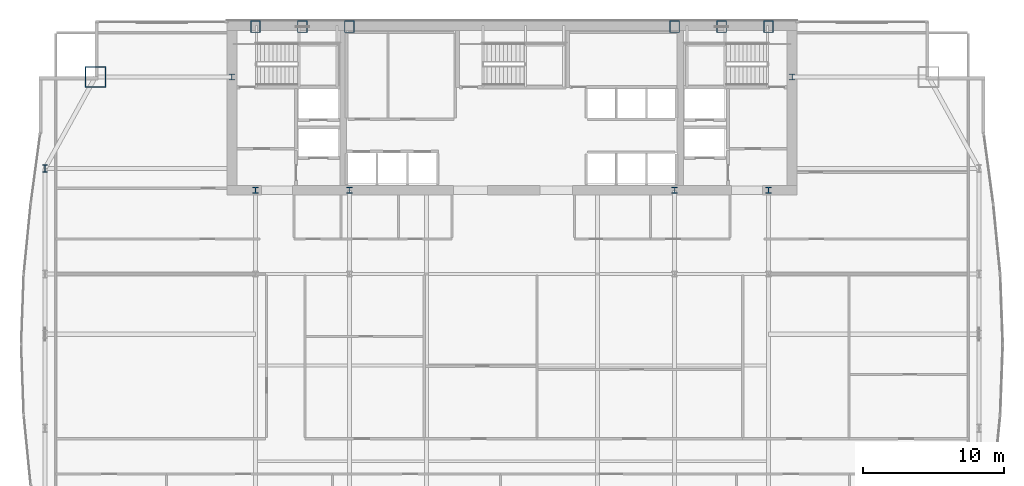
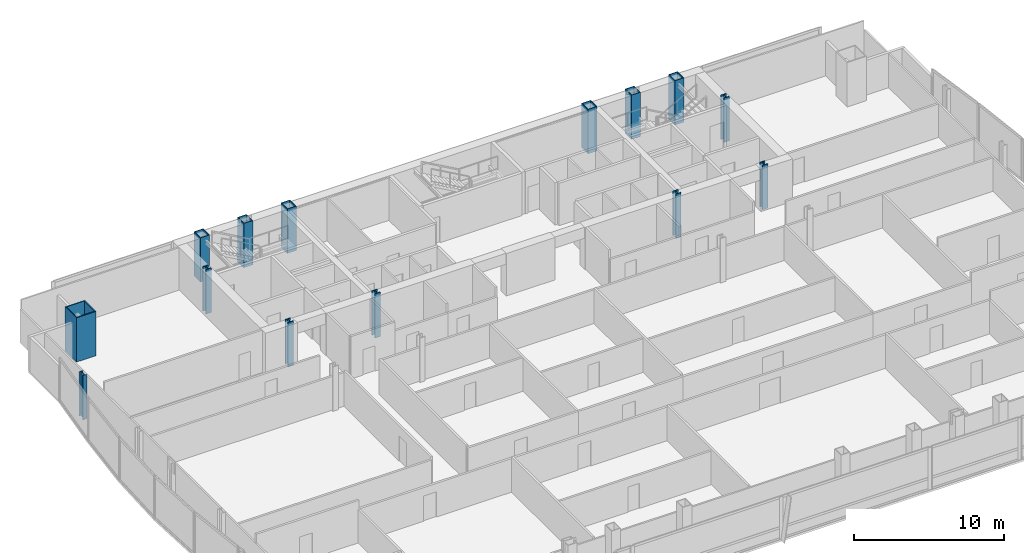
# One storey, part 3 of 32: 14 columns.
"""IFC4 building model written with IfcOpenShell, lengths in metres."""

from ifc_helpers import new_model, si_unit, direction, frame, origin, origin_2d, place, context, subcontext, project, spatial, hollow_rectangle, i_section, extrude, material, material_profile, profile_set, type_object, element, save


model = new_model("IFC4")

# Units and contexts
model_context = context("Model", 3, precision=1e-05, world=origin(), true_north=direction((0.0, 1.0)))
body_context = subcontext(model_context, "Body", "Model", "MODEL_VIEW")
ifc_project = project(units=[si_unit("LENGTHUNIT", "METRE"), si_unit("AREAUNIT", "SQUARE_METRE"), si_unit("VOLUMEUNIT", "CUBIC_METRE"), si_unit("PLANEANGLEUNIT", "RADIAN"), si_unit("MASSUNIT", "GRAM", prefix="KILO")], contexts=[model_context])

# Site, building, storey
site_placement = place(None, origin())
site = spatial("IfcSite", under=ifc_project, at=site_placement, CompositionType="ELEMENT")
building_placement = place(site_placement, origin())
building = spatial("IfcBuilding", under=site, at=building_placement, Name="Khoronbel Lancet Exchange", CompositionType="ELEMENT")
storey_placement = place(building_placement, frame((0.0, 0.0, 125.39990234375)))
storey = spatial("IfcBuildingStorey", under=building, at=storey_placement, Name="L30", CompositionType="ELEMENT", Elevation=125.39990234375)

# Columns
ifc_material_1 = material(Name="Steel S460", Category="steel")
ifc_material_profile_1 = material_profile(ifc_material_1, hollow_rectangle(XDim=0.699951171875, YDim=0.85009765625, WallThickness=0.050048828125, at=origin_2d()), Name="BOX 850x700x50")
ifc_profile_set_1 = profile_set([ifc_material_profile_1], Name="Steel S460")
column_type_1 = type_object("IfcColumnType", Name="COL-EC2", PredefinedType="COLUMN", material=ifc_profile_set_1)
for number, where, z_axis, x_axis, name in (
    (1, (18.22509765625, 53.280029296875, 0.0), (0.0, 0.0, 1.0), (1.0, 0.0, 0.0), "Structural column NC-W1 L30"),
    (2, (21.5625, 53.280029296875, 0.0), (0.0, 0.0, 1.0), (1.0, 0.0, 0.0), "Structural column NC-WM L30"),
    (3, (24.89990234375, 53.280029296875, 0.0), (0.0, 0.0, 1.0), (1.0, 0.0, 0.0), "Structural column NC-W2 L30"),
    (4, (48.0, 53.280029296875, 0.0), (0.0, 0.0, 1.0), (1.0, 0.0, 0.0), "Structural column NC-E1 L30"),
    (5, (51.33740234375, 53.280029296875, 0.0), (0.0, 0.0, 1.0), (1.0, 0.0, 0.0), "Structural column NC-EM L30"),
    (6, (54.675048828125, 53.280029296875, 0.0), (0.0, 0.0, 1.0), (1.0, 0.0, 0.0), "Structural column NC-E2 L30"),
):
    element("IfcColumn", number, at=place(storey_placement, frame(where, z_axis=z_axis, x_axis=x_axis)), inside=storey, type_object=column_type_1, Name=name, PredefinedType="COLUMN", context=body_context, shape_type="SweptSolid", body=[
        extrude(hollow_rectangle(XDim=0.699951171875, YDim=0.85009765625, WallThickness=0.050048828125, at=origin_2d()), origin(), (0.0, 0.0, 1.0), 3.60009765625),
    ])
ifc_material_profile_2 = material_profile(ifc_material_1, i_section(OverallWidth=0.416015625, OverallDepth=0.446044921875, WebThickness=0.0390625, FlangeThickness=0.062744140625, at=origin_2d()), Name="HD 400x509")
ifc_profile_set_2 = profile_set([ifc_material_profile_2], Name="Steel S460")
column_type_2 = type_object("IfcColumnType", Name="COL-IC2", PredefinedType="COLUMN", material=ifc_profile_set_2)
for number, where, z_axis, x_axis, name in (
    (7, (16.550048828125, 49.699951171875, 0.0), (0.0, 0.0, 1.0), (1.0, 0.0, 0.0), "Core-flank plumb transfer column CFW L30"),
    (8, (56.35009765625, 49.699951171875, 0.0), (0.0, 0.0, 1.0), (1.0, 0.0, 0.0), "Core-flank plumb transfer column CFE L30"),
    (9, (18.22509765625, 41.64990234375, 0.0), (0.0, 0.0, 1.0), (1.0, 0.0, 0.0), "Core-embedded steel column CTC1 L30"),
    (10, (24.89990234375, 41.64990234375, 0.0), (0.0, 0.0, 1.0), (1.0, 0.0, 0.0), "Core-embedded steel column CTC2 L30"),
    (11, (48.0, 41.64990234375, 0.0), (0.0, 0.0, 1.0), (1.0, 0.0, 0.0), "Core-embedded steel column CTC3 L30"),
    (12, (54.675048828125, 41.64990234375, 0.0), (0.0, 0.0, 1.0), (1.0, 0.0, 0.0), "Core-embedded steel column CTC4 L30"),
):
    element("IfcColumn", number, at=place(storey_placement, frame(where, z_axis=z_axis, x_axis=x_axis)), inside=storey, type_object=column_type_2, Name=name, PredefinedType="COLUMN", context=body_context, shape_type="SweptSolid", body=[
        extrude(i_section(OverallWidth=0.416015625, OverallDepth=0.446044921875, WebThickness=0.0390625, FlangeThickness=0.062744140625, at=origin_2d()), origin(), (0.0, 0.0, 1.0), 3.60009765625),
    ])
ifc_material_2 = material(Name="Steel S355", Category="steel")
ifc_material_profile_3 = material_profile(ifc_material_2, i_section(OverallWidth=0.300048828125, OverallDepth=0.550048828125, WebThickness=0.014892578125, FlangeThickness=0.029052734375, at=origin_2d()), Name="HEB 550")
ifc_profile_set_3 = profile_set([ifc_material_profile_3], Name="Steel S355")
column_type_3 = type_object("IfcColumnType", Name="COL-LC1", PredefinedType="COLUMN", material=ifc_profile_set_3)
column_1_placement = place(storey_placement, frame((3.27001953125, 43.199951171875, 0.0), z_axis=(0.0, 0.0, 1.0), x_axis=(1.0, 0.0, 0.0)))
element("IfcColumn", 13, at=column_1_placement, inside=storey, type_object=column_type_3, Name="Structural column WC-4 L30", PredefinedType="COLUMN", context=body_context, shape_type="SweptSolid", body=[
    extrude(i_section(OverallWidth=0.300048828125, OverallDepth=0.550048828125, WebThickness=0.014892578125, FlangeThickness=0.029052734375, at=origin_2d()), origin(), (0.0, 0.0, 1.0), 3.60009765625),
])
ifc_material_profile_4 = material_profile(ifc_material_1, hollow_rectangle(XDim=1.5, YDim=1.5, WallThickness=0.070068359375, at=origin_2d()), Name="BOX 1500x1500x70")
ifc_profile_set_4 = profile_set([ifc_material_profile_4], Name="Steel S460")
column_type_4 = type_object("IfcColumnType", Name="COL-MC3", PredefinedType="COLUMN", material=ifc_profile_set_4)
column_2_placement = place(storey_placement, frame((6.85009765625, 49.699951171875, 0.0), z_axis=(0.0, 0.0, 1.0), x_axis=(1.0, 0.0, 0.0)))
element("IfcColumn", 14, at=column_2_placement, inside=storey, type_object=column_type_4, Name="Structural column MC-NW L30", PredefinedType="COLUMN", context=body_context, shape_type="SweptSolid", body=[
    extrude(hollow_rectangle(XDim=1.5, YDim=1.5, WallThickness=0.070068359375, at=origin_2d()), origin(), (0.0, 0.0, 1.0), 3.60009765625),
])

save(model, "model.ifc")
